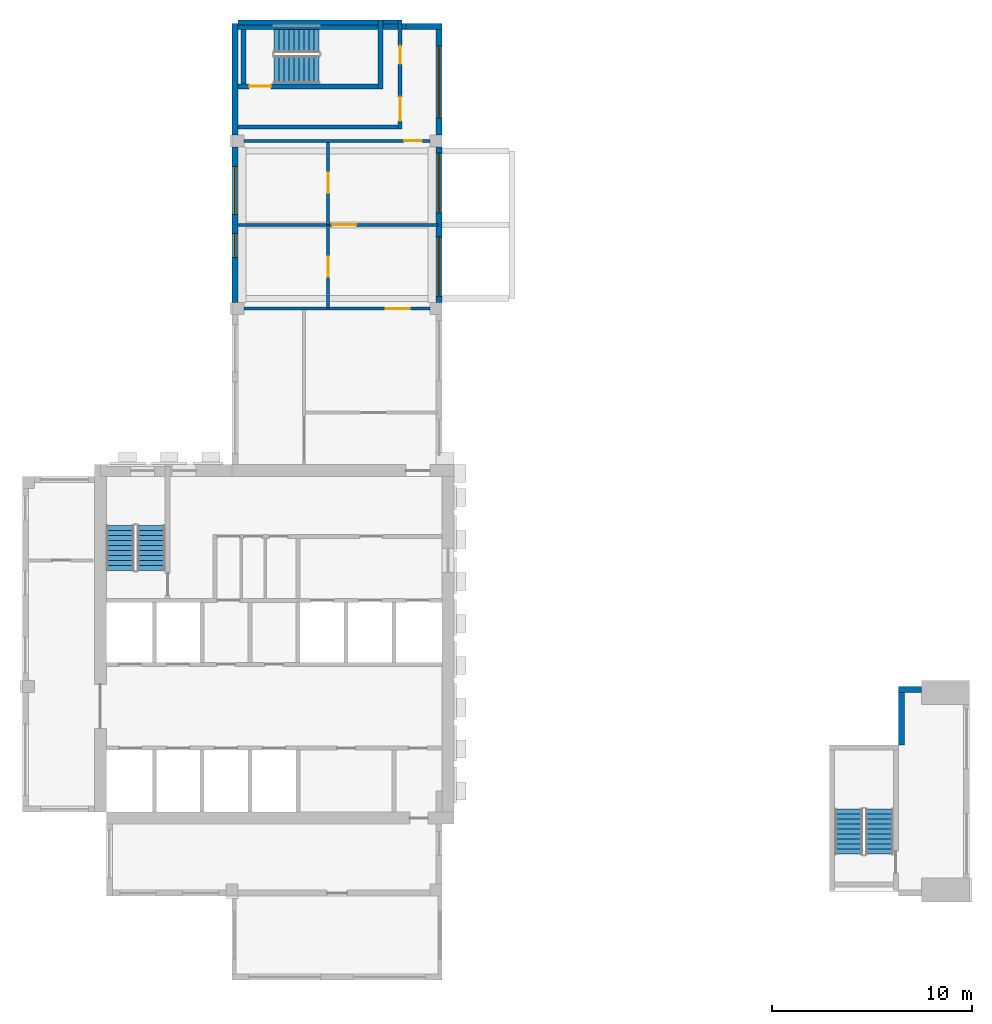
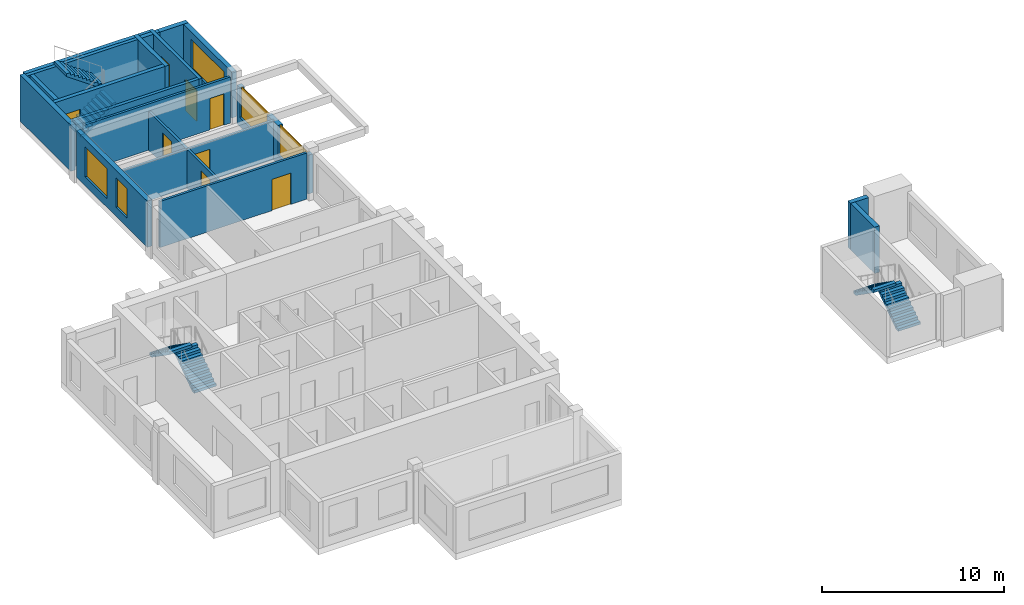
# One storey, part 4 of 7: 20 walls, 8 doors, 6 stair flights, 5 windows, 13 openings, 3 elements without a shape of their own.
"""IFC4 building model written with IfcOpenShell, lengths in metres."""

from ifc_helpers import new_model, si_unit, direction, frame, frame_2d, origin, place, context, subcontext, project, spatial, polyline, rectangle, outline, extrude, source, transform, mapped, material, layer, layer_set, type_object, element, fill, aggregate, save


model = new_model("IFC4")

# Units and contexts
model_context = context("Model", 3, precision=1e-05, world=origin(), true_north=direction((0.0, 1.0)))
body_context = subcontext(model_context, "Body", "Model", "MODEL_VIEW")
ifc_project = project(units=[si_unit("LENGTHUNIT", "METRE"), si_unit("AREAUNIT", "SQUARE_METRE"), si_unit("VOLUMEUNIT", "CUBIC_METRE"), si_unit("PLANEANGLEUNIT", "RADIAN"), si_unit("MASSUNIT", "GRAM", prefix="KILO")], contexts=[model_context])

# Site, building, storey
site_placement = place(None, origin())
site = spatial("IfcSite", under=ifc_project, at=site_placement, CompositionType="ELEMENT")
building_placement = place(site_placement, origin())
building = spatial("IfcBuilding", under=site, at=building_placement, Name="Aurelian Terraces", CompositionType="ELEMENT")
storey_placement = place(building_placement, frame((0.0, 0.0, 337.0)))
storey = spatial("IfcBuildingStorey", under=building, at=storey_placement, Name="L79", CompositionType="ELEMENT", Elevation=337.0)

# Wall, opening, door
ifc_material_1 = material(Name="Gypsum board on steel studs", Category="steel")
ifc_layer_1 = layer(ifc_material_1, 0.15)
ifc_layer_set_1 = layer_set([ifc_layer_1], Name="Partition 150")
wall_type_1 = type_object("IfcWallType", Name="Partition 150", PredefinedType="PARTITIONING", material=ifc_layer_set_1)
wall_1_placement = place(storey_placement, frame((15.3, 33.6, 0.0), z_axis=(0.0, 0.0, 1.0), x_axis=(0.0, -1.0, 0.0)))
wall_1 = element("IfcWall", 1, at=wall_1_placement, inside=storey, type_object=wall_type_1, Name="Partition", PredefinedType="PARTITIONING", context=body_context, shape_type="SweptSolid", body=[
    extrude(rectangle(XDim=4.2, YDim=0.15, at=frame_2d((2.1, 0.0))), origin(), (0.0, 0.0, 1.0), 2.6),
])
shared_shape_1 = source(origin(), body_context, "Body", "SweptSolid", [
    extrude(rectangle(XDim=1.0, YDim=2.1, at=frame_2d((0.5, 1.05))), frame((0.0, 0.085, 0.0), z_axis=(0.0, -1.0, 0.0), x_axis=(1.0, 0.0, 0.0)), (0.0, 0.0, 1.0), 0.17),
])
opening_1_placement = place(wall_1_placement, frame((1.6, 0.0, 0.0)))
opening_1 = element("IfcOpeningElement", 2, at=opening_1_placement, cuts=wall_1, Name="Opening 779003", PredefinedType="OPENING", context=body_context, shape_type="MappedRepresentation", body=[
    mapped(shared_shape_1, transform((0.0, 0.0, 0.0), scale=1.0)),
])
ifc_material_2 = material(Name="Timber door leaf", Category="wood")
door_type_1 = type_object("IfcDoorType", Name="Room door 1000x2100 right", OperationType="SINGLE_SWING_RIGHT", PredefinedType="DOOR", material=ifc_material_2)
shared_shape_2 = source(origin(), body_context, "Body", "SweptSolid", [
    extrude(rectangle(XDim=1.0, YDim=2.1, at=frame_2d((0.5, 1.05))), frame((0.0, 0.025, 0.0), z_axis=(0.0, -1.0, 0.0), x_axis=(1.0, 0.0, 0.0)), (0.0, 0.0, 1.0), 0.05),
])
door_1_placement = place(opening_1_placement, origin())
door_1 = element("IfcDoor", 3, at=door_1_placement, inside=storey, type_object=door_type_1, Name="Door 779003", OperationType="SINGLE_SWING_RIGHT", OverallHeight=2.1, OverallWidth=1.0, PredefinedType="DOOR", context=body_context, shape_type="MappedRepresentation", body=[
    mapped(shared_shape_2, transform((0.0, 0.0, 0.0), scale=1.0)),
])
fill(opening_1, door_1)

wall_2_placement = place(storey_placement, frame((15.3, 37.725, 0.0), z_axis=(0.0, 0.0, 1.0), x_axis=(0.0, -1.0, 0.0)))
wall_2 = element("IfcWall", 4, at=wall_2_placement, inside=storey, type_object=wall_type_1, Name="Partition", PredefinedType="PARTITIONING", context=body_context, shape_type="SweptSolid", body=[
    extrude(rectangle(XDim=4.105, YDim=0.15, at=frame_2d((2.0525, 0.0))), origin(), (0.0, 0.0, 1.0), 2.6),
])
opening_2_placement = place(wall_2_placement, frame((1.525, 0.0, 0.0)))
opening_2 = element("IfcOpeningElement", 5, at=opening_2_placement, cuts=wall_2, Name="Opening 779004", PredefinedType="OPENING", context=body_context, shape_type="MappedRepresentation", body=[
    mapped(shared_shape_1, transform((0.0, 0.0, 0.0), scale=1.0)),
])
door_type_2 = type_object("IfcDoorType", Name="Room door 1000x2100 left", OperationType="SINGLE_SWING_LEFT", PredefinedType="DOOR", material=ifc_material_2)
door_2_placement = place(opening_2_placement, origin())
door_2 = element("IfcDoor", 6, at=door_2_placement, inside=storey, type_object=door_type_2, Name="Door 779004", OperationType="SINGLE_SWING_LEFT", OverallHeight=2.1, OverallWidth=1.0, PredefinedType="DOOR", context=body_context, shape_type="MappedRepresentation", body=[
    mapped(shared_shape_2, transform((0.0, 0.0, 0.0), scale=1.0)),
])
fill(opening_2, door_2)

wall_3_placement = place(storey_placement, frame((10.8, 33.6, 0.0), z_axis=(0.0, 0.0, 1.0), x_axis=(1.0, 0.0, 0.0)))
wall_3 = element("IfcWall", 7, at=wall_3_placement, inside=storey, type_object=wall_type_1, Name="Partition", PredefinedType="PARTITIONING", context=body_context, shape_type="SweptSolid", body=[
    extrude(rectangle(XDim=9.995, YDim=0.15, at=frame_2d((4.9975, 0.0))), origin(), (0.0, 0.0, 1.0), 2.6),
])
shared_shape_3 = source(origin(), body_context, "Body", "SweptSolid", [
    extrude(rectangle(XDim=1.2, YDim=2.1, at=frame_2d((0.6, 1.05))), frame((0.0, 0.085, 0.0), z_axis=(0.0, -1.0, 0.0), x_axis=(1.0, 0.0, 0.0)), (0.0, 0.0, 1.0), 0.17),
])
opening_3_placement = place(wall_3_placement, frame((4.7, 0.0, 0.0)))
opening_3 = element("IfcOpeningElement", 8, at=opening_3_placement, cuts=wall_3, Name="Opening 779006", PredefinedType="OPENING", context=body_context, shape_type="MappedRepresentation", body=[
    mapped(shared_shape_3, transform((0.0, 0.0, 0.0), scale=1.0)),
])
door_type_3 = type_object("IfcDoorType", Name="Room door 1200x2100 right", OperationType="SINGLE_SWING_RIGHT", PredefinedType="DOOR", material=ifc_material_2)
shared_shape_4 = source(origin(), body_context, "Body", "SweptSolid", [
    extrude(rectangle(XDim=1.2, YDim=2.1, at=frame_2d((0.6, 1.05))), frame((0.0, 0.025, 0.0), z_axis=(0.0, -1.0, 0.0), x_axis=(1.0, 0.0, 0.0)), (0.0, 0.0, 1.0), 0.05),
])
door_3_placement = place(opening_3_placement, origin())
door_3 = element("IfcDoor", 9, at=door_3_placement, inside=storey, type_object=door_type_3, Name="Door 779006", OperationType="SINGLE_SWING_RIGHT", OverallHeight=2.1, OverallWidth=1.2, PredefinedType="DOOR", context=body_context, shape_type="MappedRepresentation", body=[
    mapped(shared_shape_4, transform((0.0, 0.0, 0.0), scale=1.0)),
])
fill(opening_3, door_3)

# Walls
ifc_material_3 = material(Name="Terracotta rainscreen cladding", Category="masonry")
ifc_layer_2 = layer(ifc_material_3, 0.3)
ifc_layer_set_2 = layer_set([ifc_layer_2], Name="EW-300")
wall_type_2 = type_object("IfcWallType", Name="EW-300", PredefinedType="STANDARD", material=ifc_layer_set_2)
shared_shape_5 = source(origin(), body_context, "Body", "SweptSolid", [
    extrude(rectangle(XDim=1.8, YDim=0.3, at=frame_2d((0.9, 0.0))), origin(), (0.0, 0.0, 1.0), 3.1),
])
wall_4_placement = place(storey_placement, frame((21.0, 43.53, 0.0), z_axis=(0.0, 0.0, 1.0), x_axis=(-1.0, 0.0, 0.0)))
element("IfcWall", 10, at=wall_4_placement, inside=storey, type_object=wall_type_2, Name="External wall L79 F03.9", PredefinedType="STANDARD", context=body_context, shape_type="MappedRepresentation", body=[
    mapped(shared_shape_5, transform((0.0, 0.0, 0.0), scale=1.0)),
])
ifc_material_4 = material(Name="Concrete fc' 40 MPa", Category="concrete")
ifc_layer_3 = layer(ifc_material_4, 0.3)
ifc_layer_set_3 = layer_set([ifc_layer_3], Name="STAIR BAY WALL 300")
wall_type_3 = type_object("IfcWallType", Name="STAIR BAY WALL 300", PredefinedType="SOLIDWALL", material=ifc_layer_set_3)
shared_shape_6 = source(origin(), body_context, "Body", "SweptSolid", [
    extrude(rectangle(XDim=8.6, YDim=0.3, at=frame_2d((4.3, 0.0))), origin(), (0.0, 0.0, 1.0), 3.1),
])
wall_5_placement = place(storey_placement, frame((19.2, 43.53, 0.0), z_axis=(0.0, 0.0, 1.0), x_axis=(-1.0, 0.0, 0.0)))
element("IfcWall", 11, at=wall_5_placement, inside=storey, type_object=wall_type_3, Name="Stair bay wall L79 F03.9", PredefinedType="SOLIDWALL", context=body_context, shape_type="MappedRepresentation", body=[
    mapped(shared_shape_6, transform((0.0, 0.0, 0.0), scale=1.0)),
])

# Wall, openings, windows
shared_shape_7 = source(origin(), body_context, "Body", "SweptSolid", [
    extrude(rectangle(XDim=7.8, YDim=0.3, at=frame_2d((3.9, 0.0))), origin(), (0.0, 0.0, 1.0), 3.1),
])
wall_6_placement = place(storey_placement, frame((10.65, 37.5, 0.0), z_axis=(0.0, 0.0, 1.0), x_axis=(0.0, -1.0, 0.0)))
wall_6 = element("IfcWall", 12, at=wall_6_placement, inside=storey, type_object=wall_type_2, Name="External wall L79 F04.10", PredefinedType="STANDARD", context=body_context, shape_type="MappedRepresentation", body=[
    mapped(shared_shape_7, transform((0.0, 0.0, 0.0), scale=1.0)),
])
shared_shape_8 = source(origin(), body_context, "Body", "SweptSolid", [
    extrude(rectangle(XDim=1.2, YDim=2.0, at=frame_2d((0.6, 1.0))), frame((0.0, 0.16, 0.0), z_axis=(0.0, -1.0, 0.0), x_axis=(1.0, 0.0, 0.0)), (0.0, 0.0, 1.0), 0.32),
])
opening_4_placement = place(wall_6_placement, frame((4.3475, 0.0, 0.6)))
opening_4 = element("IfcOpeningElement", 13, at=opening_4_placement, cuts=wall_6, Name="Opening W1220", PredefinedType="OPENING", context=body_context, shape_type="MappedRepresentation", body=[
    mapped(shared_shape_8, transform((0.0, 0.0, 0.0), scale=1.0)),
])
shared_shape_9 = source(origin(), body_context, "Body", "SweptSolid", [
    extrude(rectangle(XDim=2.4, YDim=2.0, at=frame_2d((1.2, 1.0))), frame((0.0, 0.16, 0.0), z_axis=(0.0, -1.0, 0.0), x_axis=(1.0, 0.0, 0.0)), (0.0, 0.0, 1.0), 0.32),
])
opening_5_placement = place(wall_6_placement, frame((0.9737, 0.0, 0.6)))
opening_5 = element("IfcOpeningElement", 14, at=opening_5_placement, cuts=wall_6, Name="Opening W2420", PredefinedType="OPENING", context=body_context, shape_type="MappedRepresentation", body=[
    mapped(shared_shape_9, transform((0.0, 0.0, 0.0), scale=1.0)),
])
ifc_material_5 = material(Name="Clear glazing", Category="glass")
window_type_1 = type_object("IfcWindowType", Name="W-1200x2000", PartitioningType="SINGLE_PANEL", PredefinedType="WINDOW", material=ifc_material_5)
shared_shape_10 = source(origin(), body_context, "Body", "SweptSolid", [
    extrude(rectangle(XDim=1.2, YDim=2.0, at=frame_2d((0.6, 1.0))), frame((0.0, 0.03, 0.0), z_axis=(0.0, -1.0, 0.0), x_axis=(1.0, 0.0, 0.0)), (0.0, 0.0, 1.0), 0.06),
])
window_1_placement = place(opening_4_placement, origin())
window_1 = element("IfcWindow", 15, at=window_1_placement, inside=storey, type_object=window_type_1, Name="Window L79 L79-F04-10-2", OverallHeight=2.0, OverallWidth=1.2, PartitioningType="SINGLE_PANEL", PredefinedType="WINDOW", context=body_context, shape_type="MappedRepresentation", body=[
    mapped(shared_shape_10, transform((0.0, 0.0, 0.0), scale=1.0)),
])
fill(opening_4, window_1)
window_type_2 = type_object("IfcWindowType", Name="W-2400x2000", PartitioningType="SINGLE_PANEL", PredefinedType="WINDOW", material=ifc_material_5)
shared_shape_11 = source(origin(), body_context, "Body", "SweptSolid", [
    extrude(rectangle(XDim=2.4, YDim=2.0, at=frame_2d((1.2, 1.0))), frame((0.0, 0.03, 0.0), z_axis=(0.0, -1.0, 0.0), x_axis=(1.0, 0.0, 0.0)), (0.0, 0.0, 1.0), 0.06),
])
window_2_placement = place(opening_5_placement, origin())
window_2 = element("IfcWindow", 16, at=window_2_placement, inside=storey, type_object=window_type_2, Name="Window L79 L79-F04-10-G1-62", OverallHeight=2.0, OverallWidth=2.4, PartitioningType="SINGLE_PANEL", PredefinedType="WINDOW", context=body_context, shape_type="MappedRepresentation", body=[
    mapped(shared_shape_11, transform((0.0, 0.0, 0.0), scale=1.0)),
])
fill(opening_5, window_2)

shared_shape_12 = source(origin(), body_context, "Body", "SweptSolid", [
    extrude(rectangle(XDim=7.8, YDim=0.3, at=frame_2d((3.9, 0.0))), origin(), (0.0, 0.0, 1.0), 2.6),
])
wall_7_placement = place(storey_placement, frame((20.85, 29.7, 0.0), z_axis=(0.0, 0.0, 1.0), x_axis=(0.0, 1.0, 0.0)))
wall_7 = element("IfcWall", 17, at=wall_7_placement, inside=storey, type_object=wall_type_2, Name="External wall L79 F02.7", PredefinedType="STANDARD", context=body_context, shape_type="MappedRepresentation", body=[
    mapped(shared_shape_12, transform((0.0, 0.0, 0.0), scale=1.0)),
])
shared_shape_13 = source(origin(), body_context, "Body", "SweptSolid", [
    extrude(rectangle(XDim=3.0, YDim=2.0, at=frame_2d((1.5, 1.0))), frame((0.0, 0.16, 0.0), z_axis=(0.0, -1.0, 0.0), x_axis=(1.0, 0.0, 0.0)), (0.0, 0.0, 1.0), 0.32),
])
opening_6_placement = place(wall_7_placement, frame((0.3, 0.0, 0.6)))
opening_6 = element("IfcOpeningElement", 18, at=opening_6_placement, cuts=wall_7, Name="Opening W3020", PredefinedType="OPENING", context=body_context, shape_type="MappedRepresentation", body=[
    mapped(shared_shape_13, transform((0.0, 0.0, 0.0), scale=1.0)),
])
opening_7_placement = place(wall_7_placement, frame((4.5, 0.0, 0.6)))
opening_7 = element("IfcOpeningElement", 19, at=opening_7_placement, cuts=wall_7, Name="Opening W3020", PredefinedType="OPENING", context=body_context, shape_type="MappedRepresentation", body=[
    mapped(shared_shape_13, transform((0.0, 0.0, 0.0), scale=1.0)),
])
window_type_3 = type_object("IfcWindowType", Name="W-3000x2000", PartitioningType="SINGLE_PANEL", PredefinedType="WINDOW", material=ifc_material_5)
shared_shape_14 = source(origin(), body_context, "Body", "SweptSolid", [
    extrude(rectangle(XDim=3.0, YDim=2.0, at=frame_2d((1.5, 1.0))), frame((0.0, 0.03, 0.0), z_axis=(0.0, -1.0, 0.0), x_axis=(1.0, 0.0, 0.0)), (0.0, 0.0, 1.0), 0.06),
])
window_3_placement = place(opening_6_placement, origin())
window_3 = element("IfcWindow", 20, at=window_3_placement, inside=storey, type_object=window_type_3, Name="Window L79 L79-F02-07-0", OverallHeight=2.0, OverallWidth=3.0, PartitioningType="SINGLE_PANEL", PredefinedType="WINDOW", context=body_context, shape_type="MappedRepresentation", body=[
    mapped(shared_shape_14, transform((0.0, 0.0, 0.0), scale=1.0)),
])
fill(opening_6, window_3)
window_4_placement = place(opening_7_placement, origin())
window_4 = element("IfcWindow", 21, at=window_4_placement, inside=storey, type_object=window_type_3, Name="Window L79 L79-F02-07-1", OverallHeight=2.0, OverallWidth=3.0, PartitioningType="SINGLE_PANEL", PredefinedType="WINDOW", context=body_context, shape_type="MappedRepresentation", body=[
    mapped(shared_shape_14, transform((0.0, 0.0, 0.0), scale=1.0)),
])
fill(opening_7, window_4)

# Wall, opening, window
shared_shape_15 = source(origin(), body_context, "Body", "SweptSolid", [
    extrude(rectangle(XDim=5.58, YDim=0.3, at=frame_2d((2.79, 0.0))), origin(), (0.0, 0.0, 1.0), 3.1),
])
wall_8_placement = place(storey_placement, frame((20.85, 38.1, 0.0), z_axis=(0.0, 0.0, 1.0), x_axis=(0.0, 1.0, 0.0)))
wall_8 = element("IfcWall", 22, at=wall_8_placement, inside=storey, type_object=wall_type_2, Name="External wall L79 F02.8", PredefinedType="STANDARD", context=body_context, shape_type="MappedRepresentation", body=[
    mapped(shared_shape_15, transform((0.0, 0.0, 0.0), scale=1.0)),
])
shared_shape_16 = source(origin(), body_context, "Body", "SweptSolid", [
    extrude(rectangle(XDim=3.6, YDim=2.0, at=frame_2d((1.8, 1.0))), frame((0.0, 0.16, 0.0), z_axis=(0.0, -1.0, 0.0), x_axis=(1.0, 0.0, 0.0)), (0.0, 0.0, 1.0), 0.32),
])
opening_8_placement = place(wall_8_placement, frame((0.84, 0.0, 0.6)))
opening_8 = element("IfcOpeningElement", 23, at=opening_8_placement, cuts=wall_8, Name="Opening W3620", PredefinedType="OPENING", context=body_context, shape_type="MappedRepresentation", body=[
    mapped(shared_shape_16, transform((0.0, 0.0, 0.0), scale=1.0)),
])
window_type_4 = type_object("IfcWindowType", Name="W-3600x2000", PartitioningType="SINGLE_PANEL", PredefinedType="WINDOW", material=ifc_material_5)
shared_shape_17 = source(origin(), body_context, "Body", "SweptSolid", [
    extrude(rectangle(XDim=3.6, YDim=2.0, at=frame_2d((1.8, 1.0))), frame((0.0, 0.03, 0.0), z_axis=(0.0, -1.0, 0.0), x_axis=(1.0, 0.0, 0.0)), (0.0, 0.0, 1.0), 0.06),
])
window_5_placement = place(opening_8_placement, origin())
window_5 = element("IfcWindow", 24, at=window_5_placement, inside=storey, type_object=window_type_4, Name="Window L79 L79-F02-08-0", OverallHeight=2.0, OverallWidth=3.6, PartitioningType="SINGLE_PANEL", PredefinedType="WINDOW", context=body_context, shape_type="MappedRepresentation", body=[
    mapped(shared_shape_17, transform((0.0, 0.0, 0.0), scale=1.0)),
])
fill(opening_8, window_5)

# Walls
shared_shape_18 = source(origin(), body_context, "Body", "SweptSolid", [
    extrude(rectangle(XDim=5.58, YDim=0.3, at=frame_2d((2.79, 0.0))), origin(), (0.0, 0.0, 1.0), 3.1),
])
wall_9_placement = place(storey_placement, frame((10.65, 43.68, 0.0), z_axis=(0.0, 0.0, 1.0), x_axis=(0.0, -1.0, 0.0)))
element("IfcWall", 25, at=wall_9_placement, inside=storey, type_object=wall_type_3, Name="Stair bay wall L79 F04.10", PredefinedType="SOLIDWALL", context=body_context, shape_type="MappedRepresentation", body=[
    mapped(shared_shape_18, transform((0.0, 0.0, 0.0), scale=1.0)),
])
shared_shape_19 = source(origin(), body_context, "Body", "SweptSolid", [
    extrude(rectangle(XDim=1.15, YDim=0.3, at=frame_2d((0.575, 0.0))), origin(), (0.0, 0.0, 1.0), 3.1),
])
wall_10_placement = place(storey_placement, frame((45.0, 10.35, 0.0), z_axis=(0.0, 0.0, 1.0), x_axis=(-1.0, 0.0, 0.0)))
element("IfcWall", 26, at=wall_10_placement, inside=storey, type_object=wall_type_2, Name="External wall L79 F15.22", PredefinedType="STANDARD", context=body_context, shape_type="MappedRepresentation", body=[
    mapped(shared_shape_19, transform((0.0, 0.0, 0.0), scale=1.0)),
])
shared_shape_20 = source(origin(), body_context, "Body", "SweptSolid", [
    extrude(rectangle(XDim=2.95, YDim=0.3, at=frame_2d((1.475, 0.0))), origin(), (0.0, 0.0, 1.0), 3.1),
])
wall_11_placement = place(storey_placement, frame((44.0, 10.5, 0.0), z_axis=(0.0, 0.0, 1.0), x_axis=(0.0, -1.0, 0.0)))
element("IfcWall", 27, at=wall_11_placement, inside=storey, type_object=wall_type_2, Name="External wall L79 F16.23", PredefinedType="STANDARD", context=body_context, shape_type="MappedRepresentation", body=[
    mapped(shared_shape_20, transform((0.0, 0.0, 0.0), scale=1.0)),
])

# Wall, opening, door
ifc_layer_4 = layer(ifc_material_4, 0.25)
ifc_layer_set_4 = layer_set([ifc_layer_4], Name="Stair enclosure wall 250")
wall_type_4 = type_object("IfcWallType", Name="Stair enclosure wall 250", PredefinedType="SOLIDWALL", material=ifc_layer_set_4)
shared_shape_21 = source(origin(), body_context, "Body", "SweptSolid", [
    extrude(rectangle(XDim=7.0, YDim=0.25, at=frame_2d((3.5, 0.0))), origin(), (0.0, 0.0, 1.0), 3.1),
])
wall_12_placement = place(storey_placement, frame((10.8, 40.525, 0.0), z_axis=(0.0, 0.0, 1.0), x_axis=(1.0, 0.0, 0.0)))
wall_12 = element("IfcWall", 28, at=wall_12_placement, inside=storey, type_object=wall_type_4, Name="L79 core wall ST-S3U-W", PredefinedType="SOLIDWALL", context=body_context, shape_type="MappedRepresentation", body=[
    mapped(shared_shape_21, transform((0.0, 0.0, 0.0), scale=1.0)),
])
shared_shape_22 = source(origin(), body_context, "Body", "SweptSolid", [
    extrude(rectangle(XDim=1.1, YDim=2.1, at=frame_2d((0.55, 1.05))), frame((0.0, 0.135, 0.0), z_axis=(0.0, -1.0, 0.0), x_axis=(1.0, 0.0, 0.0)), (0.0, 0.0, 1.0), 0.27),
])
opening_9_placement = place(wall_12_placement, frame((0.55, 0.0, 0.0)))
opening_9 = element("IfcOpeningElement", 29, at=opening_9_placement, cuts=wall_12, Name="Opening 68220", PredefinedType="OPENING", context=body_context, shape_type="MappedRepresentation", body=[
    mapped(shared_shape_22, transform((0.0, 0.0, 0.0), scale=1.0)),
])
ifc_material_6 = material(Name="Steel door leaf", Category="steel")
door_type_4 = type_object("IfcDoorType", Name="Core fire door 1100x2100", OperationType="SINGLE_SWING_LEFT", PredefinedType="DOOR", material=ifc_material_6)
shared_shape_23 = source(origin(), body_context, "Body", "SweptSolid", [
    extrude(rectangle(XDim=1.1, YDim=2.1, at=frame_2d((0.55, 1.05))), frame((0.0, 0.025, 0.0), z_axis=(0.0, -1.0, 0.0), x_axis=(1.0, 0.0, 0.0)), (0.0, 0.0, 1.0), 0.05),
])
door_4_placement = place(opening_9_placement, origin())
door_4 = element("IfcDoor", 30, at=door_4_placement, inside=storey, type_object=door_type_4, Name="Stair door 68220", OperationType="SINGLE_SWING_LEFT", OverallHeight=2.1, OverallWidth=1.1, PredefinedType="DOOR", context=body_context, shape_type="MappedRepresentation", body=[
    mapped(shared_shape_23, transform((0.0, 0.0, 0.0), scale=1.0)),
])
fill(opening_9, door_4)

# Walls
wall_13_placement = place(storey_placement, frame((10.8, 43.725, 0.0), z_axis=(0.0, 0.0, 1.0), x_axis=(1.0, 0.0, 0.0)))
element("IfcWall", 31, at=wall_13_placement, inside=storey, type_object=wall_type_4, Name="L79 core wall ST-S3U-E", PredefinedType="SOLIDWALL", context=body_context, shape_type="MappedRepresentation", body=[
    mapped(shared_shape_21, transform((0.0, 0.0, 0.0), scale=1.0)),
])
shared_shape_24 = source(origin(), body_context, "Body", "SweptSolid", [
    extrude(rectangle(XDim=3.45, YDim=0.25, at=frame_2d((1.725, 0.0))), origin(), (0.0, 0.0, 1.0), 3.1),
])
wall_14_placement = place(storey_placement, frame((17.925, 40.4, 0.0), z_axis=(0.0, 0.0, 1.0), x_axis=(0.0, 1.0, 0.0)))
element("IfcWall", 32, at=wall_14_placement, inside=storey, type_object=wall_type_4, Name="L79 core wall ST-S3U-N", PredefinedType="SOLIDWALL", context=body_context, shape_type="MappedRepresentation", body=[
    mapped(shared_shape_24, transform((0.0, 0.0, 0.0), scale=1.0)),
])
ifc_layer_5 = layer(ifc_material_1, 0.2)
ifc_layer_set_5 = layer_set([ifc_layer_5], Name="Core partition 200")
wall_type_5 = type_object("IfcWallType", Name="Core partition 200", PredefinedType="PARTITIONING", material=ifc_layer_set_5)
shared_shape_25 = source(origin(), body_context, "Body", "SweptSolid", [
    extrude(rectangle(XDim=8.0, YDim=0.2, at=frame_2d((4.0, 0.0))), origin(), (0.0, 0.0, 1.0), 3.1),
])
wall_15_placement = place(storey_placement, frame((10.8, 38.5, 0.0), z_axis=(0.0, 0.0, 1.0), x_axis=(1.0, 0.0, 0.0)))
element("IfcWall", 33, at=wall_15_placement, inside=storey, type_object=wall_type_5, Name="L79 core wall ST-S3U-VW", PredefinedType="PARTITIONING", context=body_context, shape_type="MappedRepresentation", body=[
    mapped(shared_shape_25, transform((0.0, 0.0, 0.0), scale=1.0)),
])

# Wall, openings, doors
shared_shape_26 = source(origin(), body_context, "Body", "SweptSolid", [
    extrude(rectangle(XDim=5.45, YDim=0.2, at=frame_2d((2.725, 0.0))), origin(), (0.0, 0.0, 1.0), 3.1),
])
wall_16_placement = place(storey_placement, frame((18.9, 38.4, 0.0), z_axis=(0.0, 0.0, 1.0), x_axis=(0.0, 1.0, 0.0)))
wall_16 = element("IfcWall", 34, at=wall_16_placement, inside=storey, type_object=wall_type_5, Name="L79 core wall ST-S3U-BN", PredefinedType="PARTITIONING", context=body_context, shape_type="MappedRepresentation", body=[
    mapped(shared_shape_26, transform((0.0, 0.0, 0.0), scale=1.0)),
])
shared_shape_27 = source(origin(), body_context, "Body", "SweptSolid", [
    extrude(rectangle(XDim=1.2, YDim=2.1, at=frame_2d((0.6, 1.05))), frame((0.0, 0.11, 0.0), z_axis=(0.0, -1.0, 0.0), x_axis=(1.0, 0.0, 0.0)), (0.0, 0.0, 1.0), 0.22),
])
opening_10_placement = place(wall_16_placement, frame((0.4, 0.0, 0.0)))
opening_10 = element("IfcOpeningElement", 35, at=opening_10_placement, cuts=wall_16, Name="Opening 68221", PredefinedType="OPENING", context=body_context, shape_type="MappedRepresentation", body=[
    mapped(shared_shape_27, transform((0.0, 0.0, 0.0), scale=1.0)),
])
shared_shape_28 = source(origin(), body_context, "Body", "SweptSolid", [
    extrude(rectangle(XDim=0.9, YDim=2.1, at=frame_2d((0.45, 1.05))), frame((0.0, 0.11, 0.0), z_axis=(0.0, -1.0, 0.0), x_axis=(1.0, 0.0, 0.0)), (0.0, 0.0, 1.0), 0.22),
])
opening_11_placement = place(wall_16_placement, frame((3.25, 0.0, 0.0)))
opening_11 = element("IfcOpeningElement", 36, at=opening_11_placement, cuts=wall_16, Name="Opening 68222", PredefinedType="OPENING", context=body_context, shape_type="MappedRepresentation", body=[
    mapped(shared_shape_28, transform((0.0, 0.0, 0.0), scale=1.0)),
])
door_type_5 = type_object("IfcDoorType", Name="Core riser door 900x2100", OperationType="SINGLE_SWING_LEFT", PredefinedType="DOOR", material=ifc_material_6)
shared_shape_29 = source(origin(), body_context, "Body", "SweptSolid", [
    extrude(rectangle(XDim=0.9, YDim=2.1, at=frame_2d((0.45, 1.05))), frame((0.0, 0.025, 0.0), z_axis=(0.0, -1.0, 0.0), x_axis=(1.0, 0.0, 0.0)), (0.0, 0.0, 1.0), 0.05),
])
door_5_placement = place(opening_11_placement, origin())
door_5 = element("IfcDoor", 37, at=door_5_placement, inside=storey, type_object=door_type_5, Name="Riser door 68222", OperationType="SINGLE_SWING_LEFT", OverallHeight=2.1, OverallWidth=0.9, PredefinedType="DOOR", context=body_context, shape_type="MappedRepresentation", body=[
    mapped(shared_shape_29, transform((0.0, 0.0, 0.0), scale=1.0)),
])
fill(opening_11, door_5)
door_type_6 = type_object("IfcDoorType", Name="Core fire door 1200x2100 right", OperationType="SINGLE_SWING_RIGHT", PredefinedType="DOOR", material=ifc_material_6)
door_6_placement = place(opening_10_placement, origin())
door_6 = element("IfcDoor", 38, at=door_6_placement, inside=storey, type_object=door_type_6, Name="Vestibule door 68221", OperationType="SINGLE_SWING_RIGHT", OverallHeight=2.1, OverallWidth=1.2, PredefinedType="DOOR", context=body_context, shape_type="MappedRepresentation", body=[
    mapped(shared_shape_4, transform((0.0, 0.0, 0.0), scale=1.0)),
])
fill(opening_10, door_6)

# Walls
shared_shape_30 = source(origin(), body_context, "Body", "SweptSolid", [
    extrude(rectangle(XDim=0.75, YDim=0.2, at=frame_2d((0.375, 0.0))), origin(), (0.0, 0.0, 1.0), 3.1),
])
wall_17_placement = place(storey_placement, frame((18.05, 43.75, 0.0), z_axis=(0.0, 0.0, 1.0), x_axis=(1.0, 0.0, 0.0)))
element("IfcWall", 39, at=wall_17_placement, inside=storey, type_object=wall_type_5, Name="L79 core wall ST-S3U-RE", PredefinedType="PARTITIONING", context=body_context, shape_type="MappedRepresentation", body=[
    mapped(shared_shape_30, transform((0.0, 0.0, 0.0), scale=1.0)),
])
shared_shape_31 = source(origin(), body_context, "Body", "SweptSolid", [
    extrude(rectangle(XDim=2.73, YDim=0.25, at=frame_2d((1.365, 0.0))), origin(), (0.0, 0.0, 1.0), 3.1),
])
wall_18_placement = place(storey_placement, frame((11.075, 40.65, 0.0), z_axis=(0.0, 0.0, 1.0), x_axis=(0.0, 1.0, 0.0)))
element("IfcWall", 40, at=wall_18_placement, inside=storey, type_object=wall_type_4, Name="L79 core wall ST-S3U-SS", PredefinedType="SOLIDWALL", context=body_context, shape_type="MappedRepresentation", body=[
    mapped(shared_shape_31, transform((0.0, 0.0, 0.0), scale=1.0)),
])

# Wall, opening, door
shared_shape_32 = source(origin(), body_context, "Body", "SweptSolid", [
    extrude(rectangle(XDim=9.302, YDim=0.15, at=frame_2d((4.651, 0.0))), origin(), (0.0, 0.0, 1.0), 3.1),
])
wall_19_placement = place(storey_placement, frame((11.099, 29.4, 0.0), z_axis=(0.0, 0.0, 1.0), x_axis=(1.0, 0.0, 0.0)))
wall_19 = element("IfcWall", 41, at=wall_19_placement, inside=storey, type_object=wall_type_1, Name="Partition", PredefinedType="PARTITIONING", context=body_context, shape_type="MappedRepresentation", body=[
    mapped(shared_shape_32, transform((0.0, 0.0, 0.0), scale=1.0)),
])
opening_12_placement = place(wall_19_placement, frame((7.0885, 0.0, 0.0)))
opening_12 = element("IfcOpeningElement", 42, at=opening_12_placement, cuts=wall_19, Name="Opening 779005", PredefinedType="OPENING", context=body_context, shape_type="MappedRepresentation", body=[
    mapped(shared_shape_3, transform((0.0, 0.0, 0.0), scale=1.0)),
])
door_type_7 = type_object("IfcDoorType", Name="Room door 1200x2100 left", OperationType="SINGLE_SWING_LEFT", PredefinedType="DOOR", material=ifc_material_2)
door_7_placement = place(opening_12_placement, origin())
door_7 = element("IfcDoor", 43, at=door_7_placement, inside=storey, type_object=door_type_7, Name="Door 779005", OperationType="SINGLE_SWING_LEFT", OverallHeight=2.1, OverallWidth=1.2, PredefinedType="DOOR", context=body_context, shape_type="MappedRepresentation", body=[
    mapped(shared_shape_4, transform((0.0, 0.0, 0.0), scale=1.0)),
])
fill(opening_12, door_7)

wall_20_placement = place(storey_placement, frame((20.401, 37.8, 0.0), z_axis=(0.0, 0.0, 1.0), x_axis=(-1.0, 0.0, 0.0)))
wall_20 = element("IfcWall", 44, at=wall_20_placement, inside=storey, type_object=wall_type_1, Name="Partition", PredefinedType="PARTITIONING", context=body_context, shape_type="MappedRepresentation", body=[
    mapped(shared_shape_32, transform((0.0, 0.0, 0.0), scale=1.0)),
])
shared_shape_33 = source(origin(), body_context, "Body", "SweptSolid", [
    extrude(rectangle(XDim=0.9, YDim=2.1, at=frame_2d((0.45, 1.05))), frame((0.0, 0.085, 0.0), z_axis=(0.0, -1.0, 0.0), x_axis=(1.0, 0.0, 0.0)), (0.0, 0.0, 1.0), 0.17),
])
opening_13_placement = place(wall_20_placement, frame((0.401, 0.0, 0.0)))
opening_13 = element("IfcOpeningElement", 45, at=opening_13_placement, cuts=wall_20, Name="Opening 779008", PredefinedType="OPENING", context=body_context, shape_type="MappedRepresentation", body=[
    mapped(shared_shape_33, transform((0.0, 0.0, 0.0), scale=1.0)),
])
door_type_8 = type_object("IfcDoorType", Name="Room door 900x2100 right", OperationType="SINGLE_SWING_RIGHT", PredefinedType="DOOR", material=ifc_material_2)
door_8_placement = place(opening_13_placement, origin())
door_8 = element("IfcDoor", 46, at=door_8_placement, inside=storey, type_object=door_type_8, Name="Door 779008", OperationType="SINGLE_SWING_RIGHT", OverallHeight=2.1, OverallWidth=0.9, PredefinedType="DOOR", context=body_context, shape_type="MappedRepresentation", body=[
    mapped(shared_shape_29, transform((0.0, 0.0, 0.0), scale=1.0)),
])
fill(opening_13, door_8)

# Stair, stair flights
stair_type = type_object("IfcStairType", Name="Stair 1400", PredefinedType="HALF_TURN_STAIR", material=ifc_material_4)
stair_1_placement = place(storey_placement, origin())
stair_1 = element("IfcStair", 47, at=stair_1_placement, inside=storey, type_object=stair_type, Name="L79 S1", PredefinedType="HALF_TURN_STAIR")
stair_flight_type = type_object("IfcStairFlightType", Name="Stair flight 1400", PredefinedType="STRAIGHT", material=ifc_material_4)
shared_shape_34 = source(origin(), body_context, "Body", "SweptSolid", [
    extrude(outline(polyline([(0.0, 0.0), (0.0, 0.175), (0.25, 0.175), (0.25, 0.35), (0.5, 0.35), (0.5, 0.525), (0.75, 0.525), (0.75, 0.7), (1.0, 0.7), (1.0, 0.875), (1.25, 0.875), (1.25, 1.05), (1.5, 1.05), (1.5, 1.225), (1.75, 1.225), (1.75, 1.4), (2.0, 1.4), (2.0, 1.575), (2.25, 1.575), (2.25, 1.75), (2.25, 1.3919), (0.2616, 0.0), (0.0, 0.0)])), frame((0.0, 0.7, 0.0), z_axis=(0.0, -1.0, 0.0), x_axis=(1.0, 0.0, 0.0)), (0.0, 0.0, 1.0), 1.4),
])
stair_flight_1_placement = place(storey_placement, frame((6.45, 16.3, 2e-08), z_axis=(0.0, 0.0, 1.0), x_axis=(0.0, 1.0, 0.0)))
stair_flight_1 = element("IfcStairFlight", 48, at=stair_flight_1_placement, type_object=stair_flight_type, Name="S1 flight 1", NumberOfRisers=10, NumberOfTreads=9, PredefinedType="STRAIGHT", RiserHeight=0.175, TreadLength=0.25, context=body_context, shape_type="MappedRepresentation", body=[
    mapped(shared_shape_34, transform((0.0, 0.0, 0.0), scale=1.0)),
])
stair_flight_2_placement = place(storey_placement, frame((4.9, 18.55, 1.75000002), z_axis=(0.0, 0.0, 1.0), x_axis=(0.0, -1.0, 0.0)))
stair_flight_2 = element("IfcStairFlight", 49, at=stair_flight_2_placement, type_object=stair_flight_type, Name="S1 flight 2", NumberOfRisers=10, NumberOfTreads=9, PredefinedType="STRAIGHT", RiserHeight=0.175, TreadLength=0.25, context=body_context, shape_type="MappedRepresentation", body=[
    mapped(shared_shape_34, transform((0.0, 0.0, 0.0), scale=1.0)),
])
aggregate(stair_1, [stair_flight_1, stair_flight_2])

stair_2_placement = place(storey_placement, origin())
stair_2 = element("IfcStair", 50, at=stair_2_placement, inside=storey, type_object=stair_type, Name="L79 S2", PredefinedType="HALF_TURN_STAIR")
stair_flight_3_placement = place(storey_placement, frame((42.9, 2.1, 2e-08), z_axis=(0.0, 0.0, 1.0), x_axis=(0.0, 1.0, 0.0)))
stair_flight_3 = element("IfcStairFlight", 51, at=stair_flight_3_placement, type_object=stair_flight_type, Name="S2 flight 1", NumberOfRisers=10, NumberOfTreads=9, PredefinedType="STRAIGHT", RiserHeight=0.175, TreadLength=0.25, context=body_context, shape_type="MappedRepresentation", body=[
    mapped(shared_shape_34, transform((0.0, 0.0, 0.0), scale=1.0)),
])
stair_flight_4_placement = place(storey_placement, frame((41.35, 4.35, 1.75000002), z_axis=(0.0, 0.0, 1.0), x_axis=(0.0, -1.0, 0.0)))
stair_flight_4 = element("IfcStairFlight", 52, at=stair_flight_4_placement, type_object=stair_flight_type, Name="S2 flight 2", NumberOfRisers=10, NumberOfTreads=9, PredefinedType="STRAIGHT", RiserHeight=0.175, TreadLength=0.25, context=body_context, shape_type="MappedRepresentation", body=[
    mapped(shared_shape_34, transform((0.0, 0.0, 0.0), scale=1.0)),
])
aggregate(stair_2, [stair_flight_3, stair_flight_4])

stair_3_placement = place(storey_placement, origin())
stair_3 = element("IfcStair", 53, at=stair_3_placement, inside=storey, type_object=stair_type, Name="L79 S3U", PredefinedType="HALF_TURN_STAIR")
stair_flight_5_placement = place(storey_placement, frame((12.6, 41.35, 2e-08), z_axis=(0.0, 0.0, 1.0), x_axis=(1.0, 0.0, 0.0)))
stair_flight_5 = element("IfcStairFlight", 54, at=stair_flight_5_placement, type_object=stair_flight_type, Name="S3U flight 1", NumberOfRisers=10, NumberOfTreads=9, PredefinedType="STRAIGHT", RiserHeight=0.175, TreadLength=0.25, context=body_context, shape_type="MappedRepresentation", body=[
    mapped(shared_shape_34, transform((0.0, 0.0, 0.0), scale=1.0)),
])
stair_flight_6_placement = place(storey_placement, frame((14.85, 42.9, 1.75000002), z_axis=(0.0, 0.0, 1.0), x_axis=(-1.0, 0.0, 0.0)))
stair_flight_6 = element("IfcStairFlight", 55, at=stair_flight_6_placement, type_object=stair_flight_type, Name="S3U flight 2", NumberOfRisers=10, NumberOfTreads=9, PredefinedType="STRAIGHT", RiserHeight=0.175, TreadLength=0.25, context=body_context, shape_type="MappedRepresentation", body=[
    mapped(shared_shape_34, transform((0.0, 0.0, 0.0), scale=1.0)),
])
aggregate(stair_3, [stair_flight_5, stair_flight_6])

save(model, "model.ifc")
